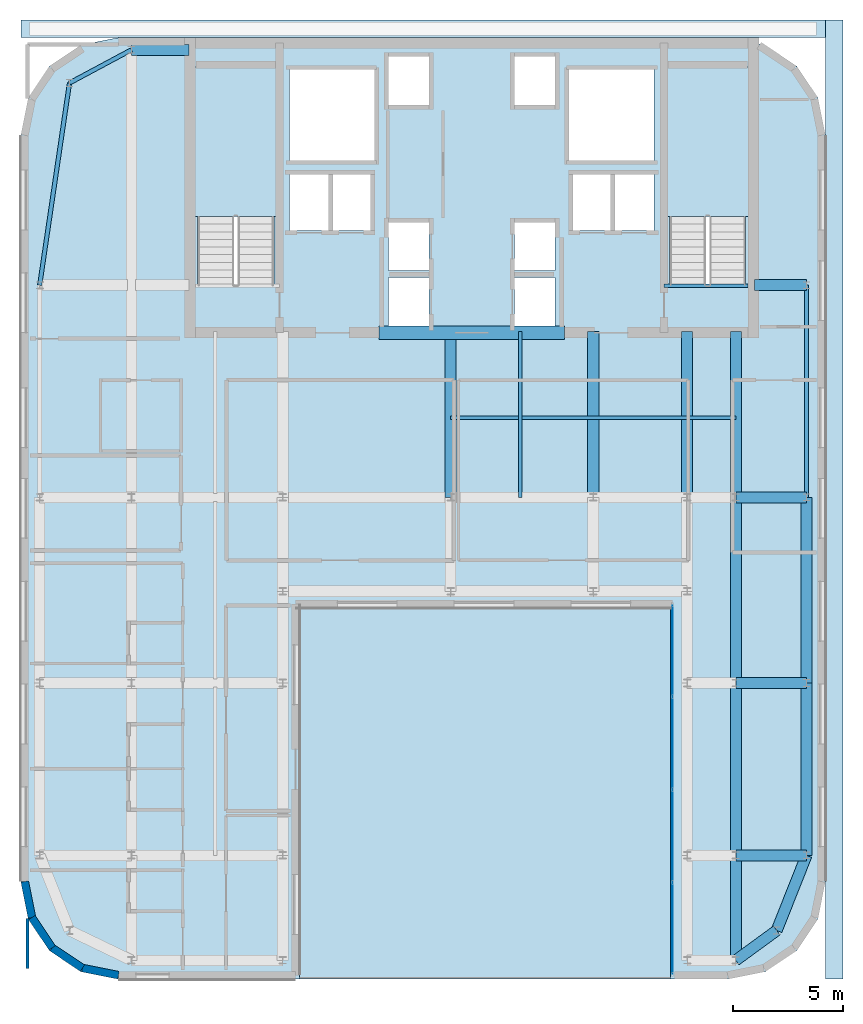
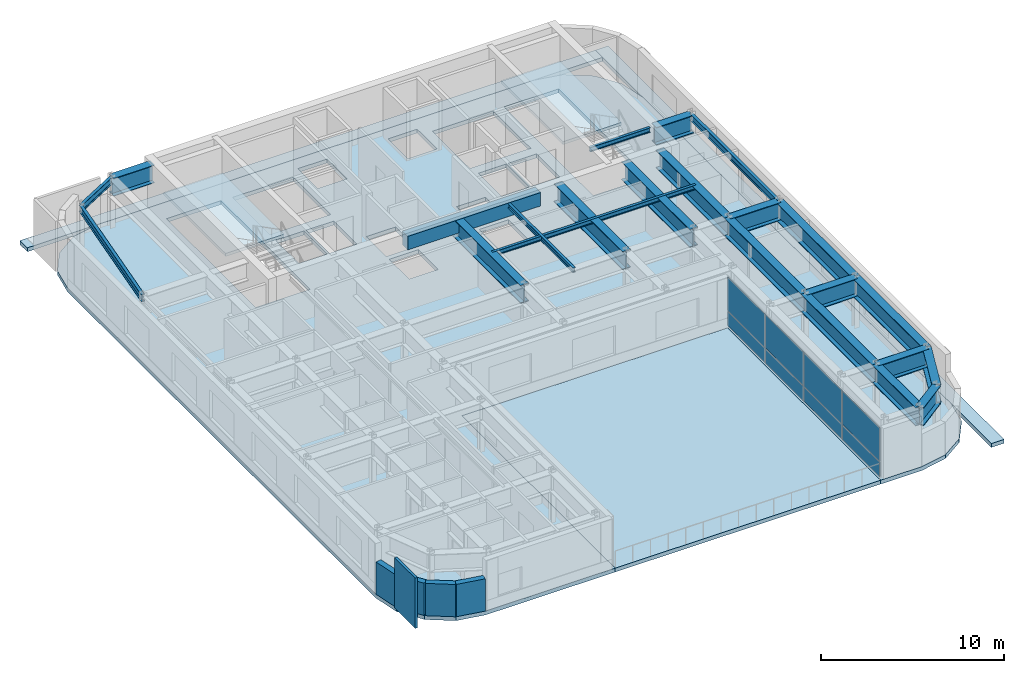
# One storey, part 7 of 16: 23 beams, 8 plates, 6 slabs, 5 walls, 3 elements without a shape of their own.
"""IFC4 building model written with IfcOpenShell, lengths in metres."""

from ifc_helpers import new_model, si_unit, direction, frame, frame_2d, origin, origin_2d, place, context, subcontext, project, spatial, polyline, rectangle, i_section, outline, extrude, source, transform, mapped, material, layer, layer_set, material_profile, profile_set, type_object, type_shapes, element, aggregate, save


model = new_model("IFC4")

# Units and contexts
model_context = context("Model", 3, precision=1e-05, world=origin(), true_north=direction((0.0, 1.0)))
body_context = subcontext(model_context, "Body", "Model", "MODEL_VIEW")
ifc_project = project(units=[si_unit("LENGTHUNIT", "METRE"), si_unit("AREAUNIT", "SQUARE_METRE"), si_unit("VOLUMEUNIT", "CUBIC_METRE"), si_unit("PLANEANGLEUNIT", "RADIAN"), si_unit("MASSUNIT", "GRAM", prefix="KILO")], contexts=[model_context])

# Site, building, storey
site_placement = place(None, origin())
site = spatial("IfcSite", under=ifc_project, at=site_placement, CompositionType="ELEMENT")
building_placement = place(site_placement, origin())
building = spatial("IfcBuilding", under=site, at=building_placement, Name="Tolvann Quenvar Hotel", CompositionType="ELEMENT")
storey_placement = place(building_placement, frame((0.0, 0.0, 241.64990234375)))
storey = spatial("IfcBuildingStorey", under=building, at=storey_placement, Name="L64", CompositionType="ELEMENT", Elevation=241.64990234375)

# Beams
ifc_material_1 = material(Name="Concrete N50 (50 MPa)", Category="concrete")
ifc_material_profile_1 = material_profile(ifc_material_1, rectangle(XDim=0.60009765625, YDim=0.89990234375, at=origin_2d()), Name="RC600x900")
ifc_profile_set_1 = profile_set([ifc_material_profile_1], Name="Concrete N50 (50 MPa)")
beam_type_1 = type_object("IfcBeamType", Name="BM_LINT_RC600x900", PredefinedType="LINTEL", material=ifc_profile_set_1)
shared_shape_1 = source(origin(), body_context, "Body", "SweptSolid", [
    extrude(rectangle(XDim=0.60009765625, YDim=0.89990234375, at=origin_2d()), origin(), (0.0, 0.0, 1.0), 8.39990234375),
])
type_shapes(beam_type_1, [shared_shape_1])
beam_1_placement = place(storey_placement, frame((18.800048828125, 31.85009765625, 2.920166015625), z_axis=(1.0, 0.0, 0.0), x_axis=(0.0, 1.0, 0.0)))
element("IfcBeam", 1, at=beam_1_placement, inside=storey, type_object=beam_type_1, Name="Core Coupling Lintel Beam (L64)", PredefinedType="LINTEL", context=body_context, shape_type="MappedRepresentation", body=[
    mapped(shared_shape_1, transform((0.0, 0.0, 0.0), x_axis=(1.0, 0.0, 0.0), y_axis=(0.0, 1.0, 0.0), z_axis=(0.0, 0.0, 1.0), scale=1.0)),
])
ifc_material_2 = material(Name="Steel Grade 350", Category="steel")
ifc_material_profile_2 = material_profile(ifc_material_2, i_section(OverallWidth=0.5, OverallDepth=1.199951171875, WebThickness=0.01611328125, FlangeThickness=0.0400390625, at=origin_2d()), Name="1200WB455")
ifc_profile_set_2 = profile_set([ifc_material_profile_2], Name="Steel Grade 350")
beam_type_2 = type_object("IfcBeamType", Name="BM_TG_1200WB455", PredefinedType="USERDEFINED", material=ifc_profile_set_2)
shared_shape_2 = source(origin(), body_context, "Body", "SweptSolid", [
    extrude(i_section(OverallWidth=0.5, OverallDepth=1.199951171875, WebThickness=0.01611328125, FlangeThickness=0.0400390625, at=origin_2d()), origin(), (0.0, 0.0, 1.0), 7.5),
])
for number, where, z_axis, x_axis, name in (
    (2, (22.050048828125, 24.39990234375, 2.77001953125), (0.0, 1.0, 0.0), (-1.0, 0.0, 0.0), "BM-L64-CORE-E5"),
    (3, (34.949951171875, 24.39990234375, 2.77001953125), (0.0, 1.0, 0.0), (-1.0, 0.0, 0.0), "BM-L64-CORE-F5"),
    (4, (32.75, 24.39990234375, 2.77001953125), (0.0, 1.0, 0.0), (-1.0, 0.0, 0.0), "BM-L64-CORE-FP5"),
    (5, (28.5, 24.39990234375, 2.77001953125), (0.0, 1.0, 0.0), (-1.0, 0.0, 0.0), "BM-L64-CORE-M5"),
):
    element("IfcBeam", number, at=place(storey_placement, frame(where, z_axis=z_axis, x_axis=x_axis)), inside=storey, type_object=beam_type_2, Name=name, ObjectType="TRANSFER GIRDER", PredefinedType="USERDEFINED", context=body_context, shape_type="MappedRepresentation", body=[
        mapped(shared_shape_2, transform((0.0, 0.0, 0.0), x_axis=(1.0, 0.0, 0.0), y_axis=(0.0, 1.0, 0.0), z_axis=(0.0, 0.0, 1.0), scale=1.0)),
    ])
shared_shape_3 = source(origin(), body_context, "Body", "SweptSolid", [
    extrude(i_section(OverallWidth=0.5, OverallDepth=1.199951171875, WebThickness=0.01611328125, FlangeThickness=0.0400390625, at=origin_2d()), origin(), (0.0, 0.0, 1.0), 2.599853515625),
])
beam_2_placement = place(storey_placement, frame((7.60009765625, 44.64990234375, 2.77001953125), z_axis=(1.0, 0.0, 0.0), x_axis=(0.0, 1.0, 0.0)))
element("IfcBeam", 6, at=beam_2_placement, inside=storey, type_object=beam_type_2, Name="BM-L64-CTW-CN", ObjectType="TRANSFER GIRDER", PredefinedType="USERDEFINED", context=body_context, shape_type="MappedRepresentation", body=[
    mapped(shared_shape_3, transform((0.0, 0.0, 0.0), x_axis=(1.0, 0.0, 0.0), y_axis=(0.0, 1.0, 0.0), z_axis=(0.0, 0.0, 1.0), scale=1.0)),
])
ifc_material_profile_3 = material_profile(ifc_material_2, i_section(OverallWidth=0.166015625, OverallDepth=0.306884765625, WebThickness=0.006591796875, FlangeThickness=0.01171875, FilletRadius=0.011474609375, at=origin_2d()), Name="310UB46")
ifc_profile_set_3 = profile_set([ifc_material_profile_3], Name="Steel Grade 350")
beam_type_3 = type_object("IfcBeamType", Name="BM_JOIST_310UB46", PredefinedType="JOIST", material=ifc_profile_set_3)
shared_shape_4 = source(origin(), body_context, "Body", "SweptSolid", [
    extrude(i_section(OverallWidth=0.166015625, OverallDepth=0.306884765625, WebThickness=0.006591796875, FlangeThickness=0.01171875, FilletRadius=0.011474609375, at=origin_2d()), origin(), (0.0, 0.0, 1.0), 3.800048828125),
])
beam_3_placement = place(storey_placement, frame((31.699951171875, 33.97998046875, 3.216552734375), z_axis=(1.0, 0.0, 0.0), x_axis=(0.0, 1.0, 0.0)))
element("IfcBeam", 7, at=beam_3_placement, inside=storey, type_object=beam_type_3, Name="BM-HDR-STC2-L65", PredefinedType="JOIST", context=body_context, shape_type="MappedRepresentation", body=[
    mapped(shared_shape_4, transform((0.0, 0.0, 0.0), x_axis=(1.0, 0.0, 0.0), y_axis=(0.0, 1.0, 0.0), z_axis=(0.0, 0.0, 1.0), scale=1.0)),
])
shared_shape_5 = source(origin(), body_context, "Body", "SweptSolid", [
    extrude(i_section(OverallWidth=0.5, OverallDepth=1.199951171875, WebThickness=0.01611328125, FlangeThickness=0.0400390625, at=origin_2d()), origin(), (0.0, 0.0, 1.0), 7.800048828125),
])
for number, where, z_axis, x_axis, name in (
    (8, (34.949951171875, 8.199951171875, 2.77001953125), (0.0, 1.0, 0.0), (-1.0, 0.0, 0.0), "BM-L64-NS-F3-F4"),
    (9, (38.14990234375, 8.199951171875, 2.77001953125), (0.0, 1.0, 0.0), (-1.0, 0.0, 0.0), "BM-L64-NS-G3-G4"),
):
    element("IfcBeam", number, at=place(storey_placement, frame(where, z_axis=z_axis, x_axis=x_axis)), inside=storey, type_object=beam_type_2, Name=name, ObjectType="TRANSFER GIRDER", PredefinedType="USERDEFINED", context=body_context, shape_type="MappedRepresentation", body=[
        mapped(shared_shape_5, transform((0.0, 0.0, 0.0), x_axis=(1.0, 0.0, 0.0), y_axis=(0.0, 1.0, 0.0), z_axis=(0.0, 0.0, 1.0), scale=1.0)),
    ])
shared_shape_6 = source(origin(), body_context, "Body", "SweptSolid", [
    extrude(i_section(OverallWidth=0.5, OverallDepth=1.199951171875, WebThickness=0.01611328125, FlangeThickness=0.0400390625, at=origin_2d()), origin(), (0.0, 0.0, 1.0), 8.39990234375),
])
for number, where, z_axis, x_axis, name in (
    (10, (34.949951171875, 16.0, 2.77001953125), (0.0, 1.0, 0.0), (-1.0, 0.0, 0.0), "BM-L64-NS-F4-F5"),
    (11, (38.14990234375, 16.0, 2.77001953125), (0.0, 1.0, 0.0), (-1.0, 0.0, 0.0), "BM-L64-NS-G4-G5"),
):
    element("IfcBeam", number, at=place(storey_placement, frame(where, z_axis=z_axis, x_axis=x_axis)), inside=storey, type_object=beam_type_2, Name=name, ObjectType="TRANSFER GIRDER", PredefinedType="USERDEFINED", context=body_context, shape_type="MappedRepresentation", body=[
        mapped(shared_shape_6, transform((0.0, 0.0, 0.0), x_axis=(1.0, 0.0, 0.0), y_axis=(0.0, 1.0, 0.0), z_axis=(0.0, 0.0, 1.0), scale=1.0)),
    ])
shared_shape_7 = source(origin(), body_context, "Body", "SweptSolid", [
    extrude(i_section(OverallWidth=0.5, OverallDepth=1.199951171875, WebThickness=0.01611328125, FlangeThickness=0.0400390625, at=origin_2d()), origin(), (0.0, 0.0, 1.0), 4.75),
])
beam_4_placement = place(storey_placement, frame((34.949951171875, 3.449951171875, 2.77001953125), z_axis=(0.0, 1.0, 0.0), x_axis=(-1.0, 0.0, 0.0)))
element("IfcBeam", 12, at=beam_4_placement, inside=storey, type_object=beam_type_2, Name="BM-L64-NS-F2-F3", ObjectType="TRANSFER GIRDER", PredefinedType="USERDEFINED", context=body_context, shape_type="MappedRepresentation", body=[
    mapped(shared_shape_7, transform((0.0, 0.0, 0.0), x_axis=(1.0, 0.0, 0.0), y_axis=(0.0, 1.0, 0.0), z_axis=(0.0, 0.0, 1.0), scale=1.0)),
])
ifc_material_profile_4 = material_profile(ifc_material_2, i_section(OverallWidth=0.19091796875, OverallDepth=0.4599609375, WebThickness=0.010009765625, FlangeThickness=0.01611328125, FilletRadius=0.011474609375, at=origin_2d()), Name="460UB82")
ifc_profile_set_4 = profile_set([ifc_material_profile_4], Name="Steel Grade 350")
beam_type_4 = type_object("IfcBeamType", Name="BM_SPAND_460UB82", PredefinedType="SPANDREL", material=ifc_profile_set_4)
shared_shape_8 = source(origin(), body_context, "Body", "SweptSolid", [
    extrude(i_section(OverallWidth=0.19091796875, OverallDepth=0.4599609375, WebThickness=0.010009765625, FlangeThickness=0.01611328125, FilletRadius=0.011474609375, at=origin_2d()), origin(), (0.0, 0.0, 1.0), 9.60009765625),
])
beam_5_placement = place(storey_placement, frame((38.14990234375, 24.39990234375, 3.14013671875), z_axis=(0.0, 1.0, 0.0), x_axis=(-1.0, 0.0, 0.0)))
element("IfcBeam", 13, at=beam_5_placement, inside=storey, type_object=beam_type_4, Name="BM-L64-FLK-G1", PredefinedType="SPANDREL", context=body_context, shape_type="MappedRepresentation", body=[
    mapped(shared_shape_8, transform((0.0, 0.0, 0.0), x_axis=(1.0, 0.0, 0.0), y_axis=(0.0, 1.0, 0.0), z_axis=(0.0, 0.0, 1.0), scale=1.0)),
])
shared_shape_9 = source(origin(), body_context, "Body", "SweptSolid", [
    extrude(i_section(OverallWidth=0.5, OverallDepth=1.199951171875, WebThickness=0.01611328125, FlangeThickness=0.0400390625, at=origin_2d()), origin(), (0.0, 0.0, 1.0), 3.657958984375),
])
beam_6_placement = place(storey_placement, frame((36.800048828125, 4.800048828125, 2.77001953125), z_axis=(0.369007513371, 0.929426411867, 0.0), x_axis=(-0.929426411867, 0.369007513371, 0.0)))
element("IfcBeam", 14, at=beam_6_placement, inside=storey, type_object=beam_type_2, Name="BM-L64-NS-G2-G3", ObjectType="TRANSFER GIRDER", PredefinedType="USERDEFINED", context=body_context, shape_type="MappedRepresentation", body=[
    mapped(shared_shape_9, transform((0.0, 0.0, 0.0), x_axis=(1.0, 0.0, 0.0), y_axis=(0.0, 1.0, 0.0), z_axis=(0.0, 0.0, 1.0), scale=1.0)),
])
shared_shape_10 = source(origin(), body_context, "Body", "SweptSolid", [
    extrude(i_section(OverallWidth=0.5, OverallDepth=1.199951171875, WebThickness=0.01611328125, FlangeThickness=0.0400390625, at=origin_2d()), origin(), (0.0, 0.0, 1.0), 2.290283203125),
])
beam_7_placement = place(storey_placement, frame((34.949951171875, 3.449951171875, 2.77001953125), z_axis=(0.807785460512, 0.589476589684, 0.0), x_axis=(-0.589476589684, 0.807785460512, 0.0)))
element("IfcBeam", 15, at=beam_7_placement, inside=storey, type_object=beam_type_2, Name="BM-L64-EW-2-F2-G2", ObjectType="TRANSFER GIRDER", PredefinedType="USERDEFINED", context=body_context, shape_type="MappedRepresentation", body=[
    mapped(shared_shape_10, transform((0.0, 0.0, 0.0), x_axis=(1.0, 0.0, 0.0), y_axis=(0.0, 1.0, 0.0), z_axis=(0.0, 0.0, 1.0), scale=1.0)),
])
shared_shape_11 = source(origin(), body_context, "Body", "SweptSolid", [
    extrude(i_section(OverallWidth=0.5, OverallDepth=1.199951171875, WebThickness=0.01611328125, FlangeThickness=0.0400390625, at=origin_2d()), origin(), (0.0, 0.0, 1.0), 3.199951171875),
])
for number, where, z_axis, x_axis, name in (
    (16, (34.949951171875, 8.199951171875, 2.77001953125), (1.0, 0.0, 0.0), (0.0, 1.0, 0.0), "BM-L64-EW-3-F3-G3"),
    (17, (34.949951171875, 16.0, 2.77001953125), (1.0, 0.0, 0.0), (0.0, 1.0, 0.0), "BM-L64-EW-4-F4-G4"),
    (18, (34.949951171875, 24.39990234375, 2.77001953125), (1.0, 0.0, 0.0), (0.0, 1.0, 0.0), "BM-L64-EW-5-F5-G5"),
):
    element("IfcBeam", number, at=place(storey_placement, frame(where, z_axis=z_axis, x_axis=x_axis)), inside=storey, type_object=beam_type_2, Name=name, ObjectType="TRANSFER GIRDER", PredefinedType="USERDEFINED", context=body_context, shape_type="MappedRepresentation", body=[
        mapped(shared_shape_11, transform((0.0, 0.0, 0.0), x_axis=(1.0, 0.0, 0.0), y_axis=(0.0, 1.0, 0.0), z_axis=(0.0, 0.0, 1.0), scale=1.0)),
    ])
shared_shape_12 = source(origin(), body_context, "Body", "SweptSolid", [
    extrude(i_section(OverallWidth=0.19091796875, OverallDepth=0.4599609375, WebThickness=0.010009765625, FlangeThickness=0.01611328125, FilletRadius=0.011474609375, at=origin_2d()), origin(), (0.0, 0.0, 1.0), 9.2490234375),
])
beam_8_placement = place(storey_placement, frame((3.449951171875, 34.0, 3.14013671875), z_axis=(0.145972731602, 0.989288613918, 0.0), x_axis=(-0.989288613918, 0.145972731602, 0.0)))
element("IfcBeam", 19, at=beam_8_placement, inside=storey, type_object=beam_type_4, Name="BM-L64-FLK-W2", PredefinedType="SPANDREL", context=body_context, shape_type="MappedRepresentation", body=[
    mapped(shared_shape_12, transform((0.0, 0.0, 0.0), x_axis=(1.0, 0.0, 0.0), y_axis=(0.0, 1.0, 0.0), z_axis=(0.0, 0.0, 1.0), scale=1.0)),
])
shared_shape_13 = source(origin(), body_context, "Body", "SweptSolid", [
    extrude(i_section(OverallWidth=0.19091796875, OverallDepth=0.4599609375, WebThickness=0.010009765625, FlangeThickness=0.01611328125, FilletRadius=0.011474609375, at=origin_2d()), origin(), (0.0, 0.0, 1.0), 3.176513671875),
])
type_shapes(beam_type_4, [shared_shape_8, shared_shape_12, shared_shape_13])
beam_9_placement = place(storey_placement, frame((4.800048828125, 43.14990234375, 3.14013671875), z_axis=(0.881483397762, 0.472215014025, 0.0), x_axis=(-0.472215014025, 0.881483397762, 0.0)))
element("IfcBeam", 20, at=beam_9_placement, inside=storey, type_object=beam_type_4, Name="BM-L64-FLK-W3", PredefinedType="SPANDREL", context=body_context, shape_type="MappedRepresentation", body=[
    mapped(shared_shape_13, transform((0.0, 0.0, 0.0), x_axis=(1.0, 0.0, 0.0), y_axis=(0.0, 1.0, 0.0), z_axis=(0.0, 0.0, 1.0), scale=1.0)),
])
shared_shape_14 = source(origin(), body_context, "Body", "SweptSolid", [
    extrude(i_section(OverallWidth=0.5, OverallDepth=1.199951171875, WebThickness=0.01611328125, FlangeThickness=0.0400390625, at=origin_2d()), origin(), (0.0, 0.0, 1.0), 2.349853515625),
])
type_shapes(beam_type_2, [shared_shape_2, shared_shape_3, shared_shape_5, shared_shape_6, shared_shape_7, shared_shape_9, shared_shape_10, shared_shape_11, shared_shape_14])
beam_10_placement = place(storey_placement, frame((35.800048828125, 34.0, 2.77001953125), z_axis=(1.0, 0.0, 0.0), x_axis=(0.0, 1.0, 0.0)))
element("IfcBeam", 21, at=beam_10_placement, inside=storey, type_object=beam_type_2, Name="BM-L64-CTE-GD6", ObjectType="TRANSFER GIRDER", PredefinedType="USERDEFINED", context=body_context, shape_type="MappedRepresentation", body=[
    mapped(shared_shape_14, transform((0.0, 0.0, 0.0), x_axis=(1.0, 0.0, 0.0), y_axis=(0.0, 1.0, 0.0), z_axis=(0.0, 0.0, 1.0), scale=1.0)),
])
shared_shape_15 = source(origin(), body_context, "Body", "SweptSolid", [
    extrude(i_section(OverallWidth=0.166015625, OverallDepth=0.306884765625, WebThickness=0.006591796875, FlangeThickness=0.01171875, FilletRadius=0.011474609375, at=origin_2d()), origin(), (0.0, 0.0, 1.0), 12.89990234375),
])
beam_11_placement = place(storey_placement, frame((22.050048828125, 28.0, 3.216552734375), z_axis=(1.0, 0.0, 0.0), x_axis=(0.0, 1.0, 0.0)))
element("IfcBeam", 22, at=beam_11_placement, inside=storey, type_object=beam_type_3, Name="BM-L64-SPINE-28", PredefinedType="JOIST", context=body_context, shape_type="MappedRepresentation", body=[
    mapped(shared_shape_15, transform((0.0, 0.0, 0.0), x_axis=(1.0, 0.0, 0.0), y_axis=(0.0, 1.0, 0.0), z_axis=(0.0, 0.0, 1.0), scale=1.0)),
])
shared_shape_16 = source(origin(), body_context, "Body", "SweptSolid", [
    extrude(i_section(OverallWidth=0.166015625, OverallDepth=0.306884765625, WebThickness=0.006591796875, FlangeThickness=0.01171875, FilletRadius=0.011474609375, at=origin_2d()), origin(), (0.0, 0.0, 1.0), 7.5),
])
type_shapes(beam_type_3, [shared_shape_4, shared_shape_15, shared_shape_16])
beam_12_placement = place(storey_placement, frame((25.199951171875, 24.39990234375, 3.216552734375), z_axis=(0.0, 1.0, 0.0), x_axis=(-1.0, 0.0, 0.0)))
element("IfcBeam", 23, at=beam_12_placement, inside=storey, type_object=beam_type_3, Name="BJ-L64-252-244", PredefinedType="JOIST", context=body_context, shape_type="MappedRepresentation", body=[
    mapped(shared_shape_16, transform((0.0, 0.0, 0.0), x_axis=(1.0, 0.0, 0.0), y_axis=(0.0, 1.0, 0.0), z_axis=(0.0, 0.0, 1.0), scale=1.0)),
])

# Stair, slab
ifc_material_3 = material(Name="Concrete N40 (40 MPa)", Category="concrete")
stair_type = type_object("IfcStairType", Name="STAIR", PredefinedType="HALF_TURN_STAIR", material=ifc_material_3)
stair_1_placement = place(storey_placement, origin())
stair_1 = element("IfcStair", 24, at=stair_1_placement, inside=storey, type_object=stair_type, Name="L64 ST-C1", PredefinedType="HALF_TURN_STAIR")
ifc_layer_1 = layer(ifc_material_3, 0.199951171875)
ifc_layer_set_1 = layer_set([ifc_layer_1], Name="Concrete N40 (40 MPa)")
slab_type_1 = type_object("IfcSlabType", Name="SLAB_LANDING", PredefinedType="LANDING", material=ifc_layer_set_1)
slab_1_placement = place(storey_placement, frame((0.0, 0.0, 1.5751953125)))
slab_1 = element("IfcSlab", 25, at=slab_1_placement, type_object=slab_type_1, Name="ST-C1 landing 1", PredefinedType="LANDING", context=body_context, shape_type="SweptSolid", body=[
    extrude(outline(polyline([(14.179931640625, 37.10498046875), (14.179931640625, 43.8798828125), (10.469970703125, 43.8798828125), (10.469970703125, 37.10498046875), (14.179931640625, 37.10498046875)])), origin(), (0.0, 0.0, 1.0), 0.199951171875),
])
aggregate(stair_1, [slab_1])

stair_2_placement = place(storey_placement, origin())
stair_2 = element("IfcStair", 26, at=stair_2_placement, inside=storey, type_object=stair_type, Name="L64 ST-C2", PredefinedType="HALF_TURN_STAIR")
slab_2_placement = place(storey_placement, frame((0.0, 0.0, 1.5751953125)))
slab_2 = element("IfcSlab", 27, at=slab_2_placement, type_object=slab_type_1, Name="ST-C2 landing 1", PredefinedType="LANDING", context=body_context, shape_type="SweptSolid", body=[
    extrude(outline(polyline([(35.530029296875, 37.10498046875), (35.530029296875, 43.8798828125), (31.820068359375, 43.8798828125), (31.820068359375, 37.10498046875), (35.530029296875, 37.10498046875)])), origin(), (0.0, 0.0, 1.0), 0.199951171875),
])
aggregate(stair_2, [slab_2])

# Slabs
ifc_layer_2 = layer(ifc_material_1, 0.260009765625)
ifc_layer_set_2 = layer_set([ifc_layer_2], Name="Concrete N50 (50 MPa)")
slab_type_2 = type_object("IfcSlabType", Name="SLAB_POD_250", PredefinedType="FLOOR", material=ifc_layer_set_2)
slab_3_placement = place(storey_placement, frame((0.0, 0.0, -0.260009765625)))
element("IfcSlab", 28, at=slab_3_placement, inside=storey, type_object=slab_type_2, Name="Level L64 Structural Floor Slab", PredefinedType="FLOOR", context=body_context, shape_type="SweptSolid", body=[
    extrude(outline(polyline([(2.60009765625, 7.0), (2.934814453125, 5.316162109375), (3.888671875, 3.888671875), (5.316162109375, 2.934814453125), (7.0, 2.60009765625), (15.199951171875, 2.60009765625), (15.199951171875, 19.39990234375), (32.0, 19.39990234375), (32.0, 2.60009765625), (34.60009765625, 2.60009765625), (36.28369140625, 2.934814453125), (37.711181640625, 3.888671875), (38.6650390625, 5.316162109375), (39.0, 7.0), (39.0, 40.800048828125), (38.6650390625, 42.48388671875), (37.711181640625, 43.911376953125), (36.28369140625, 44.864990234375), (34.60009765625, 45.199951171875), (7.0, 45.199951171875), (5.316162109375, 44.864990234375), (3.888671875, 43.911376953125), (2.934814453125, 42.48388671875), (2.60009765625, 40.800048828125), (2.60009765625, 7.0)]), holes=[polyline([(31.949951171875, 34.02490234375), (31.949951171875, 43.800048828125), (35.39990234375, 43.800048828125), (35.39990234375, 34.02490234375), (31.949951171875, 34.02490234375)]), polyline([(27.39990234375, 43.75), (31.25, 43.75), (31.25, 39.64990234375), (27.39990234375, 39.64990234375), (27.39990234375, 43.75)]), polyline([(29.449951171875, 39.02001953125), (31.25, 39.02001953125), (31.25, 36.47998046875), (29.449951171875, 36.47998046875), (29.449951171875, 39.02001953125)]), polyline([(27.574951171875, 39.02001953125), (29.324951171875, 39.02001953125), (29.324951171875, 36.47998046875), (27.574951171875, 36.47998046875), (27.574951171875, 39.02001953125)]), polyline([(24.929931640625, 36.840087890625), (26.77001953125, 36.840087890625), (26.77001953125, 34.659912109375), (24.929931640625, 34.659912109375), (24.929931640625, 36.840087890625)]), polyline([(24.929931640625, 44.340087890625), (26.77001953125, 44.340087890625), (26.77001953125, 42.159912109375), (24.929931640625, 42.159912109375), (24.929931640625, 44.340087890625)]), polyline([(24.929931640625, 32.159912109375), (24.929931640625, 34.340087890625), (26.77001953125, 34.340087890625), (26.77001953125, 32.159912109375), (24.929931640625, 32.159912109375)]), polyline([(19.22998046875, 36.840087890625), (21.070068359375, 36.840087890625), (21.070068359375, 34.659912109375), (19.22998046875, 34.659912109375), (19.22998046875, 36.840087890625)]), polyline([(19.22998046875, 44.340087890625), (21.070068359375, 44.340087890625), (21.070068359375, 42.159912109375), (19.22998046875, 42.159912109375), (19.22998046875, 44.340087890625)]), polyline([(19.22998046875, 32.159912109375), (19.22998046875, 34.340087890625), (21.070068359375, 34.340087890625), (21.070068359375, 32.159912109375), (19.22998046875, 32.159912109375)]), polyline([(14.75, 43.75), (18.60009765625, 43.75), (18.60009765625, 39.64990234375), (14.75, 39.64990234375), (14.75, 43.75)]), polyline([(16.675048828125, 39.02001953125), (18.425048828125, 39.02001953125), (18.425048828125, 36.47998046875), (16.675048828125, 36.47998046875), (16.675048828125, 39.02001953125)]), polyline([(14.75, 39.02001953125), (16.550048828125, 39.02001953125), (16.550048828125, 36.47998046875), (14.75, 36.47998046875), (14.75, 39.02001953125)]), polyline([(10.60009765625, 34.02490234375), (10.60009765625, 43.800048828125), (14.050048828125, 43.800048828125), (14.050048828125, 34.02490234375), (10.60009765625, 34.02490234375)])]), origin(), (0.0, 0.0, 1.0), 0.260009765625),
])
ifc_layer_3 = layer(ifc_material_1, 0.260009765625)
ifc_layer_set_3 = layer_set([ifc_layer_3], Name="Concrete N50 (50 MPa)")
slab_type_3 = type_object("IfcSlabType", Name="SLAB_TER_260", PredefinedType="ROOF", material=ifc_layer_set_3)
slab_4_placement = place(storey_placement, frame((0.0, 0.0, -0.260009765625)))
element("IfcSlab", 29, at=slab_4_placement, inside=storey, type_object=slab_type_3, Name="Wind Portal Belvedere Deck", PredefinedType="ROOF", context=body_context, shape_type="SweptSolid", body=[
    extrude(outline(polyline([(15.199951171875, 2.60009765625), (32.0, 2.60009765625), (32.0, 19.39990234375), (15.199951171875, 19.39990234375), (15.199951171875, 2.60009765625)])), origin(), (0.0, 0.0, 1.0), 0.260009765625),
])
slab_5_placement = place(storey_placement, frame((0.0, 0.0, -0.260009765625)))
element("IfcSlab", 30, at=slab_5_placement, inside=storey, type_object=slab_type_3, Name="Step-in Roof Cap (ROOF-L64-E)", PredefinedType="ROOF", context=body_context, shape_type="SweptSolid", body=[
    extrude(outline(polyline([(39.0, 2.60009765625), (39.800048828125, 2.60009765625), (39.800048828125, 46.0), (39.0, 46.0), (39.0, 2.60009765625)])), origin(), (0.0, 0.0, 1.0), 0.260009765625),
])
slab_6_placement = place(storey_placement, frame((0.0, 0.0, -0.260009765625)))
element("IfcSlab", 31, at=slab_6_placement, inside=storey, type_object=slab_type_3, Name="Step-in Roof Cap (ROOF-L64-N)", PredefinedType="ROOF", context=body_context, shape_type="SweptSolid", body=[
    extrude(outline(polyline([(2.60009765625, 45.199951171875), (39.0, 45.199951171875), (39.0, 46.0), (2.60009765625, 46.0), (2.60009765625, 45.199951171875)])), origin(), (0.0, 0.0, 1.0), 0.260009765625),
])

# Curtain wall, plates
ifc_material_4 = material(Name="Thermally broken anodised architectural aluminium 6063-T6 and laminated low-E glass", Category="aluminium")
ifc_layer_4 = layer(ifc_material_4, 0.179931640625)
ifc_layer_set_4 = layer_set([ifc_layer_4], Name="Thermally broken anodised architectural aluminium 6063-T6 and laminated low-E glass")
curtain_wall_type = type_object("IfcCurtainWallType", Name="CW_SYS_PORTAL_05", PredefinedType="USERDEFINED", material=ifc_layer_set_4)
curtain_wall_placement = place(storey_placement, origin())
curtain_wall = element("IfcCurtainWall", 32, at=curtain_wall_placement, inside=storey, type_object=curtain_wall_type, Name="Curtain Wall CW-PORTAL-05 (CWR-L64-E07)", ObjectType="UNITISED CURTAIN WALL", PredefinedType="USERDEFINED")
ifc_material_5 = material(Name="Low-iron laminated double glazing with solar-control coating", Category="glass")
ifc_layer_5 = layer(ifc_material_5, 0.028076171875)
ifc_layer_set_5 = layer_set([ifc_layer_5], Name="Low-iron laminated double glazing with solar-control coating")
plate_type = type_object("IfcPlateType", Name="CW_PAN_VISION_28", PredefinedType="CURTAIN_PANEL", material=ifc_layer_set_5)
shared_shape_17 = source(origin(), body_context, "Body", "SweptSolid", [
    extrude(rectangle(XDim=4.094970703125, YDim=0.028076171875, at=origin_2d()), origin(), (0.0, 0.0, 1.0), 0.9599609375),
])
plate_1_placement = place(storey_placement, frame((32.090087890625, 17.45751953125, 0.06005859375), z_axis=(0.0, 0.0, 1.0), x_axis=(0.0, -1.0, 0.0)))
plate_1 = element("IfcPlate", 33, at=plate_1_placement, type_object=plate_type, Name="CW-PORTAL-05 panel 1.1", PredefinedType="CURTAIN_PANEL", context=body_context, shape_type="MappedRepresentation", body=[
    mapped(shared_shape_17, transform((0.0, 0.0, 0.0), x_axis=(1.0, 0.0, 0.0), y_axis=(0.0, 1.0, 0.0), z_axis=(0.0, 0.0, 1.0), scale=1.0)),
])
plate_2_placement = place(storey_placement, frame((32.090087890625, 4.892578125, 0.06005859375), z_axis=(0.0, 0.0, 1.0), x_axis=(0.0, -1.0, 0.0)))
plate_2 = element("IfcPlate", 34, at=plate_2_placement, type_object=plate_type, Name="CW-PORTAL-05 panel 4.1", PredefinedType="CURTAIN_PANEL", context=body_context, shape_type="MappedRepresentation", body=[
    mapped(shared_shape_17, transform((0.0, 0.0, 0.0), x_axis=(1.0, 0.0, 0.0), y_axis=(0.0, 1.0, 0.0), z_axis=(0.0, 0.0, 1.0), scale=1.0)),
])
shared_shape_18 = source(origin(), body_context, "Body", "SweptSolid", [
    extrude(rectangle(XDim=4.094970703125, YDim=0.028076171875, at=origin_2d()), origin(), (0.0, 0.0, 1.0), 2.22998046875),
])
plate_3_placement = place(storey_placement, frame((32.090087890625, 17.45751953125, 1.080078125), z_axis=(0.0, 0.0, 1.0), x_axis=(0.0, -1.0, 0.0)))
plate_3 = element("IfcPlate", 35, at=plate_3_placement, type_object=plate_type, Name="CW-PORTAL-05 panel 1.2", PredefinedType="CURTAIN_PANEL", context=body_context, shape_type="MappedRepresentation", body=[
    mapped(shared_shape_18, transform((0.0, 0.0, 0.0), x_axis=(1.0, 0.0, 0.0), y_axis=(0.0, 1.0, 0.0), z_axis=(0.0, 0.0, 1.0), scale=1.0)),
])
plate_4_placement = place(storey_placement, frame((32.090087890625, 4.892578125, 1.080078125), z_axis=(0.0, 0.0, 1.0), x_axis=(0.0, -1.0, 0.0)))
plate_4 = element("IfcPlate", 36, at=plate_4_placement, type_object=plate_type, Name="CW-PORTAL-05 panel 4.2", PredefinedType="CURTAIN_PANEL", context=body_context, shape_type="MappedRepresentation", body=[
    mapped(shared_shape_18, transform((0.0, 0.0, 0.0), x_axis=(1.0, 0.0, 0.0), y_axis=(0.0, 1.0, 0.0), z_axis=(0.0, 0.0, 1.0), scale=1.0)),
])
shared_shape_19 = source(origin(), body_context, "Body", "SweptSolid", [
    extrude(rectangle(XDim=4.1298828125, YDim=0.028076171875, at=origin_2d()), origin(), (0.0, 0.0, 1.0), 0.9599609375),
])
plate_5_placement = place(storey_placement, frame((32.090087890625, 13.27490234375, 0.06005859375), z_axis=(0.0, 0.0, 1.0), x_axis=(0.0, -1.0, 0.0)))
plate_5 = element("IfcPlate", 37, at=plate_5_placement, type_object=plate_type, Name="CW-PORTAL-05 panel 2.1", PredefinedType="CURTAIN_PANEL", context=body_context, shape_type="MappedRepresentation", body=[
    mapped(shared_shape_19, transform((0.0, 0.0, 0.0), x_axis=(1.0, 0.0, 0.0), y_axis=(0.0, 1.0, 0.0), z_axis=(0.0, 0.0, 1.0), scale=1.0)),
])
plate_6_placement = place(storey_placement, frame((32.090087890625, 9.074951171875, 0.06005859375), z_axis=(0.0, 0.0, 1.0), x_axis=(0.0, -1.0, 0.0)))
plate_6 = element("IfcPlate", 38, at=plate_6_placement, type_object=plate_type, Name="CW-PORTAL-05 panel 3.1", PredefinedType="CURTAIN_PANEL", context=body_context, shape_type="MappedRepresentation", body=[
    mapped(shared_shape_19, transform((0.0, 0.0, 0.0), x_axis=(1.0, 0.0, 0.0), y_axis=(0.0, 1.0, 0.0), z_axis=(0.0, 0.0, 1.0), scale=1.0)),
])
shared_shape_20 = source(origin(), body_context, "Body", "SweptSolid", [
    extrude(rectangle(XDim=4.1298828125, YDim=0.028076171875, at=origin_2d()), origin(), (0.0, 0.0, 1.0), 2.22998046875),
])
type_shapes(plate_type, [shared_shape_17, shared_shape_18, shared_shape_19, shared_shape_20])
plate_7_placement = place(storey_placement, frame((32.090087890625, 13.27490234375, 1.080078125), z_axis=(0.0, 0.0, 1.0), x_axis=(0.0, -1.0, 0.0)))
plate_7 = element("IfcPlate", 39, at=plate_7_placement, type_object=plate_type, Name="CW-PORTAL-05 panel 2.2", PredefinedType="CURTAIN_PANEL", context=body_context, shape_type="MappedRepresentation", body=[
    mapped(shared_shape_20, transform((0.0, 0.0, 0.0), x_axis=(1.0, 0.0, 0.0), y_axis=(0.0, 1.0, 0.0), z_axis=(0.0, 0.0, 1.0), scale=1.0)),
])
plate_8_placement = place(storey_placement, frame((32.090087890625, 9.074951171875, 1.080078125), z_axis=(0.0, 0.0, 1.0), x_axis=(0.0, -1.0, 0.0)))
plate_8 = element("IfcPlate", 40, at=plate_8_placement, type_object=plate_type, Name="CW-PORTAL-05 panel 3.2", PredefinedType="CURTAIN_PANEL", context=body_context, shape_type="MappedRepresentation", body=[
    mapped(shared_shape_20, transform((0.0, 0.0, 0.0), x_axis=(1.0, 0.0, 0.0), y_axis=(0.0, 1.0, 0.0), z_axis=(0.0, 0.0, 1.0), scale=1.0)),
])
aggregate(curtain_wall, [plate_1, plate_3, plate_5, plate_7, plate_6, plate_8, plate_2, plate_4])

# Walls
ifc_material_6 = material(Name="Kiln-fired red and buff architectural clay brickwork and terracotta masonry", Category="masonry")
ifc_layer_6 = layer(ifc_material_6, 0.35009765625)
ifc_layer_set_6 = layer_set([ifc_layer_6], Name="Kiln-fired red and buff architectural clay brickwork and terracotta masonry")
wall_type_1 = type_object("IfcWallType", Name="WALL_EXT_BRICK_350", PredefinedType="SOLIDWALL", material=ifc_layer_set_6)
for number, where, z_axis, x_axis, name in (
    (41, (3.099609375, 5.384521484375, 0.0), (0.0, 0.0, 1.0), (0.555623290322, -0.831434158098, 0.0), "Exterior Chicago Brick Wall L64-E01"),
    (42, (4.014892578125, 4.014892578125, 0.0), (0.0, 0.0, 1.0), (0.831434158098, -0.555623290322, 0.0), "Exterior Chicago Brick Wall L64-E02"),
):
    element("IfcWall", number, at=place(storey_placement, frame(where, z_axis=z_axis, x_axis=x_axis)), inside=storey, type_object=wall_type_1, Name=name, PredefinedType="SOLIDWALL", context=body_context, shape_type="SweptSolid", body=[
        extrude(rectangle(XDim=1.647216796875, YDim=0.35009765625, at=frame_2d((0.82373046875, 0.0))), origin(), (0.0, 0.0, 1.0), 2.16015625),
    ])
for number, where, z_axis, x_axis, name in (
    (43, (5.384521484375, 3.099609375, 0.0), (0.0, 0.0, 1.0), (0.980788844421, -0.195072403631, 0.0), "Exterior Chicago Brick Wall L64-E03"),
    (44, (2.77490234375, 7.01708984375, 0.0), (0.0, 0.0, 1.0), (0.195072403631, -0.980788844421, 0.0), "Exterior Chicago Brick Wall L64-E24"),
):
    element("IfcWall", number, at=place(storey_placement, frame(where, z_axis=z_axis, x_axis=x_axis)), inside=storey, type_object=wall_type_1, Name=name, PredefinedType="SOLIDWALL", context=body_context, shape_type="SweptSolid", body=[
        extrude(rectangle(XDim=1.66455078125, YDim=0.35009765625, at=frame_2d((0.832275390625, 0.0))), origin(), (0.0, 0.0, 1.0), 2.16015625),
    ])
ifc_material_7 = material(Name="Acoustic twin-stud fire-rated gypsum plasterboard partition")
ifc_layer_7 = layer(ifc_material_7, 0.14990234375)
ifc_layer_set_7 = layer_set([ifc_layer_7], Name="Acoustic twin-stud fire-rated gypsum plasterboard partition")
wall_type_2 = type_object("IfcWallType", Name="WALL_PART_SUITE_150", PredefinedType="PARTITIONING", material=ifc_layer_set_7)
wall_placement = place(storey_placement, frame((2.89990234375, 3.080078125, 0.0), z_axis=(0.0, 0.0, 1.0), x_axis=(0.0, 1.0, 0.0)))
element("IfcWall", 45, at=wall_placement, inside=storey, type_object=wall_type_2, Name="Interior Partition PT-SPC-L64-RM-PW01-E6", PredefinedType="PARTITIONING", context=body_context, shape_type="SweptSolid", body=[
    extrude(rectangle(XDim=2.264892578125, YDim=0.14990234375, at=frame_2d((1.13232421875, 0.0))), origin(), (0.0, 0.0, 1.0), 3.3701171875),
])

save(model, "model.ifc")
